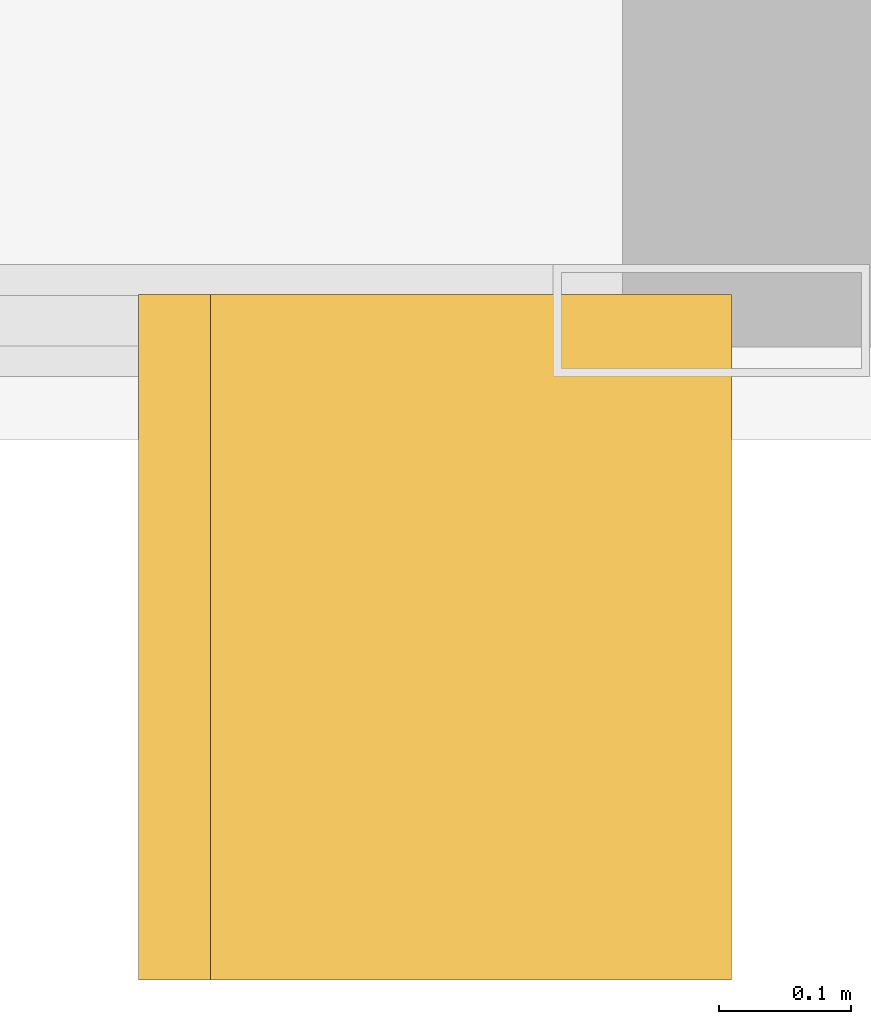
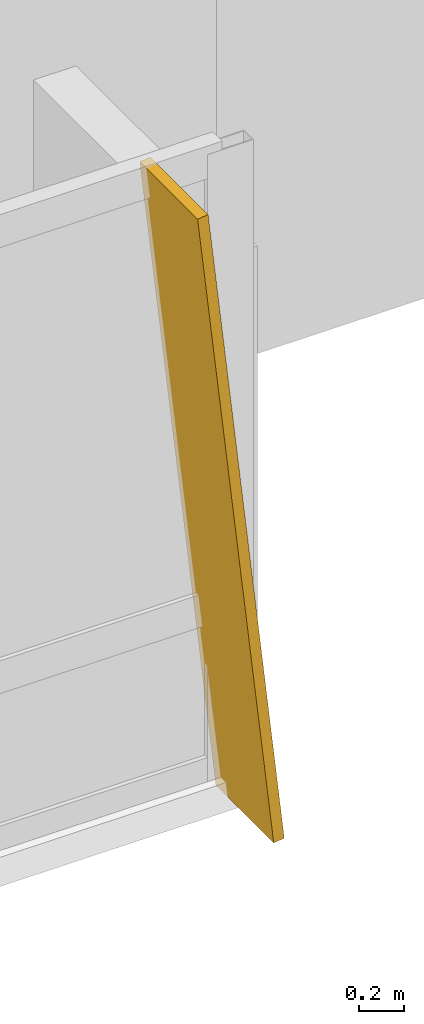
# One storey, part 33 of 33: 1 shading device.
"""IFC4 building model written with IfcOpenShell, lengths in metres."""

from ifc_helpers import new_model, si_unit, direction, frame, origin, place, context, subcontext, project, spatial, polyline, outline, extrude, material, layer, layer_set, type_object, element, save


model = new_model("IFC4")

# Units and contexts
model_context = context("Model", 3, precision=1e-05, world=origin(), true_north=direction((0.0, 1.0)))
body_context = subcontext(model_context, "Body", "Model", "MODEL_VIEW")
ifc_project = project(units=[si_unit("LENGTHUNIT", "METRE"), si_unit("AREAUNIT", "SQUARE_METRE"), si_unit("VOLUMEUNIT", "CUBIC_METRE"), si_unit("PLANEANGLEUNIT", "RADIAN"), si_unit("MASSUNIT", "GRAM", prefix="KILO")], contexts=[model_context])

# Site, building, storey
site_placement = place(None, origin())
site = spatial("IfcSite", under=ifc_project, at=site_placement, CompositionType="ELEMENT")
building_placement = place(site_placement, origin())
building = spatial("IfcBuilding", under=site, at=building_placement, Name="Khoronbel Lancet Exchange", CompositionType="ELEMENT")
storey_placement = place(building_placement, frame((0.0, 0.0, 118.199951171875)))
storey = spatial("IfcBuildingStorey", under=building, at=storey_placement, Name="L28", CompositionType="ELEMENT", Elevation=118.199951171875)

# Shading device
ifc_material = material(Name="Bronze-Anodised Aluminium 6063-T6", Category="aluminium")
ifc_layer = layer(ifc_material, 0.054931640625, Name="Bronze-Anodised Aluminium 6063-T6")
ifc_layer_set = layer_set([ifc_layer], Name="Bronze-Anodised Aluminium 6063-T6")
shading_device_type = type_object("IfcShadingDeviceType", Name="SHD-FIN1", PredefinedType="USERDEFINED", material=ifc_layer_set)
shading_device_placement = place(storey_placement, frame((65.9326171875, 7.81005859375, -0.079833984375), z_axis=(0.99389951861, 0.0, 0.110289378034), x_axis=(0.0, -1.0, 0.0)))
element("IfcShadingDevice", 1, at=shading_device_placement, inside=storey, type_object=shading_device_type, Name="Slanted bronze solar fin CW-L28-SEV-1", ObjectType="FIN", PredefinedType="USERDEFINED", context=body_context, shape_type="SweptSolid", body=[
    extrude(outline(polyline([(0.0, 0.0), (0.52001953125, 0.0), (0.52001953125, -3.58154296875), (0.0, -3.58154296875), (0.0, 0.0)])), origin(), (0.0, 0.0, -1.0), 0.054931640625),
])

save(model, "model.ifc")
